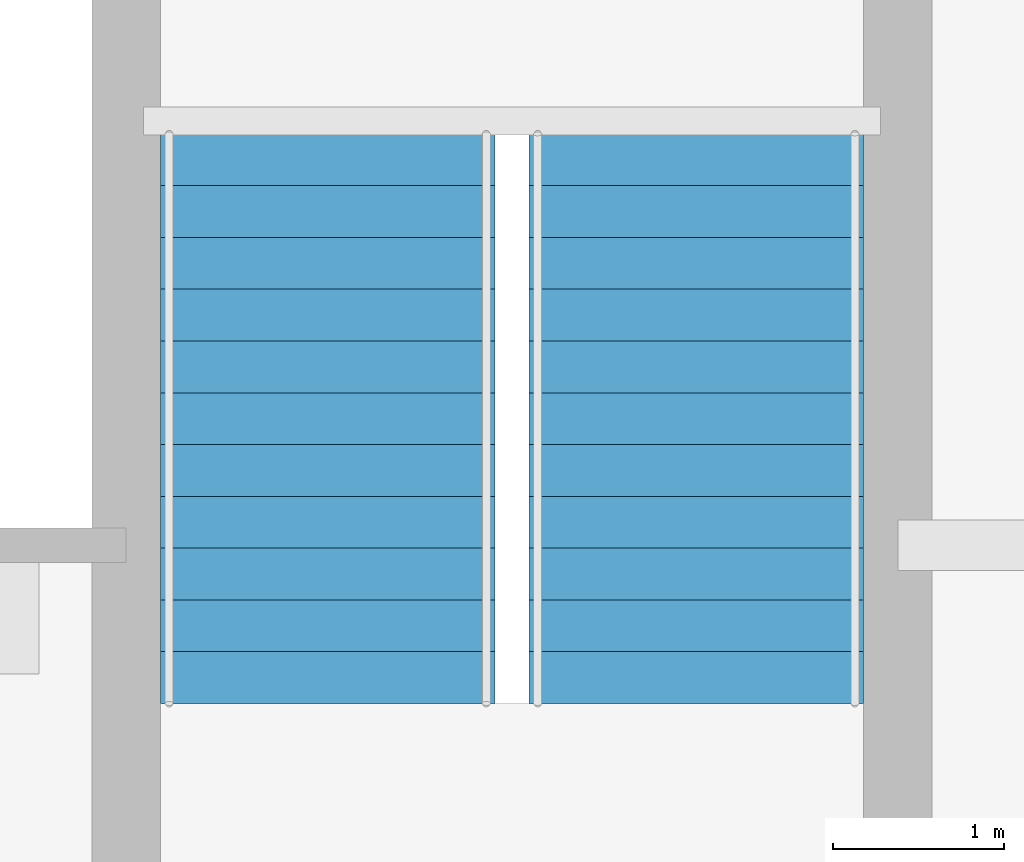
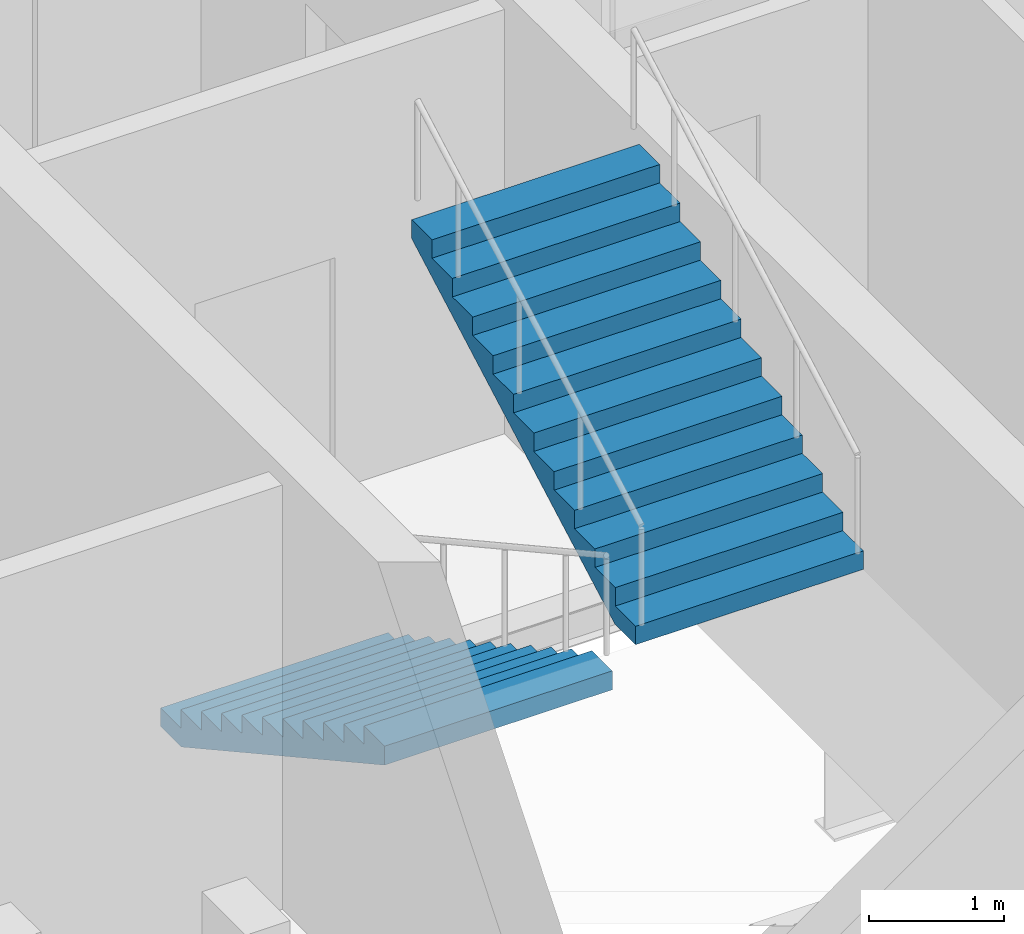
# One storey, part 12 of 14: 2 stair flights, 1 element without a shape of its own.
"""IFC4 building model written with IfcOpenShell, lengths in metres."""

from ifc_helpers import new_model, si_unit, direction, frame, origin, place, context, subcontext, project, spatial, polyline, outline, extrude, material, type_object, element, aggregate, save


model = new_model("IFC4")

# Units and contexts
model_context = context("Model", 3, precision=1e-05, world=origin(), true_north=direction((0.0, 1.0)))
body_context = subcontext(model_context, "Body", "Model", "MODEL_VIEW")
ifc_project = project(units=[si_unit("LENGTHUNIT", "METRE"), si_unit("AREAUNIT", "SQUARE_METRE"), si_unit("VOLUMEUNIT", "CUBIC_METRE"), si_unit("PLANEANGLEUNIT", "RADIAN"), si_unit("MASSUNIT", "GRAM", prefix="KILO")], contexts=[model_context])

# Site, building, storey
site_placement = place(None, origin())
site = spatial("IfcSite", under=ifc_project, at=site_placement, CompositionType="ELEMENT")
building_placement = place(site_placement, origin())
building = spatial("IfcBuilding", under=site, at=building_placement, Name="Corais Broadcast Tower", CompositionType="ELEMENT")
storey_placement = place(building_placement, frame((0.0, 0.0, 258.60009765625)))
storey = spatial("IfcBuildingStorey", under=building, at=storey_placement, Name="L60", CompositionType="ELEMENT", Elevation=258.60009765625)

# Stair, stair flights
ifc_material_1 = material(Name="Concrete C30/37", Category="concrete")
stair_type = type_object("IfcStairType", Name="Half-turn stair 4000", PredefinedType="HALF_TURN_STAIR", material=ifc_material_1)
stair_placement = place(storey_placement, origin())
stair = element("IfcStair", 1, at=stair_placement, inside=storey, type_object=stair_type, Name="Stair B L60", PredefinedType="HALF_TURN_STAIR")
ifc_material_2 = material(Name="Concrete C30/37", Category="concrete")
stair_flight_type = type_object("IfcStairFlightType", Name="Stair flight 4000", PredefinedType="STRAIGHT", material=ifc_material_2)
stair_flight_1_placement = place(storey_placement, frame((37.175048828125, 29.39990234375, 0.0), z_axis=(0.0, 0.0, 1.0), x_axis=(0.0, -1.0, 0.0)))
stair_flight_1 = element("IfcStairFlight", 2, at=stair_flight_1_placement, type_object=stair_flight_type, Name="STB flight 1", NumberOfRisers=12, NumberOfTreads=11, PredefinedType="STRAIGHT", RiserHeight=0.166666667, TreadLength=0.302, context=body_context, shape_type="SweptSolid", body=[
    extrude(outline(polyline([(0.0, 0.0), (0.0, 0.166748046875), (0.302001953125, 0.166748046875), (0.302001953125, 0.333251953125), (0.60400390625, 0.333251953125), (0.60400390625, 0.5), (0.906005859375, 0.5), (0.906005859375, 0.666748046875), (1.2080078125, 0.666748046875), (1.2080078125, 0.833251953125), (1.510009765625, 0.833251953125), (1.510009765625, 1.0), (1.81201171875, 1.0), (1.81201171875, 1.166748046875), (2.114013671875, 1.166748046875), (2.114013671875, 1.333251953125), (2.416015625, 1.333251953125), (2.416015625, 1.5), (2.718017578125, 1.5), (2.718017578125, 1.666748046875), (3.02001953125, 1.666748046875), (3.02001953125, 1.833251953125), (3.322021484375, 1.833251953125), (3.322021484375, 2.0), (3.322021484375, 1.662109375), (0.310302734375, 0.0), (0.0, 0.0)])), frame((0.0, 0.97509765625, 0.0), z_axis=(0.0, -1.0, 0.0), x_axis=(1.0, 0.0, 0.0)), (0.0, 0.0, 1.0), 1.949951171875),
])
stair_flight_2_placement = place(storey_placement, frame((39.324951171875, 26.077880859375, 2.0), z_axis=(0.0, 0.0, 1.0), x_axis=(0.0, 1.0, 0.0)))
stair_flight_2 = element("IfcStairFlight", 3, at=stair_flight_2_placement, type_object=stair_flight_type, Name="STB flight 2", NumberOfRisers=12, NumberOfTreads=11, PredefinedType="STRAIGHT", RiserHeight=0.166666667, TreadLength=0.302, context=body_context, shape_type="SweptSolid", body=[
    extrude(outline(polyline([(0.0, 0.0), (0.0, 0.166748046875), (0.302001953125, 0.166748046875), (0.302001953125, 0.333251953125), (0.60400390625, 0.333251953125), (0.60400390625, 0.5), (0.906005859375, 0.5), (0.906005859375, 0.666748046875), (1.2080078125, 0.666748046875), (1.2080078125, 0.833251953125), (1.510009765625, 0.833251953125), (1.510009765625, 1.0), (1.81201171875, 1.0), (1.81201171875, 1.166748046875), (2.114013671875, 1.166748046875), (2.114013671875, 1.333251953125), (2.416015625, 1.333251953125), (2.416015625, 1.5), (2.718017578125, 1.5), (2.718017578125, 1.666748046875), (3.02001953125, 1.666748046875), (3.02001953125, 1.833251953125), (3.322021484375, 1.833251953125), (3.322021484375, 2.0), (3.322021484375, 1.662109375), (0.310302734375, 0.0), (0.0, 0.0)])), frame((0.0, 0.97509765625, 0.0), z_axis=(0.0, -1.0, 0.0), x_axis=(1.0, 0.0, 0.0)), (0.0, 0.0, 1.0), 1.949951171875),
])
aggregate(stair, [stair_flight_1, stair_flight_2])

save(model, "model.ifc")
